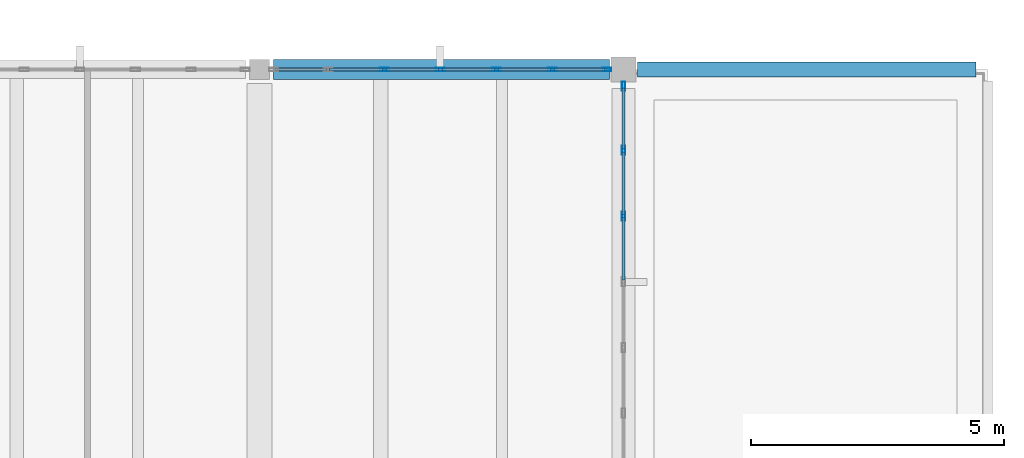
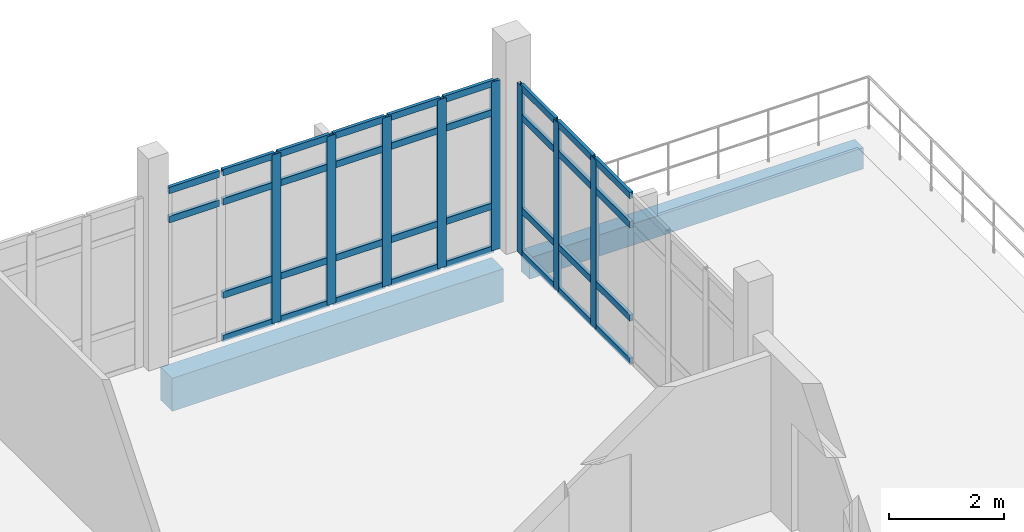
# One storey, part 26 of 41: 42 members, 2 beams, 2 elements without a shape of their own.
"""IFC4 building model written with IfcOpenShell, lengths in metres."""

from ifc_helpers import new_model, si_unit, direction, frame, origin, origin_2d, place, context, subcontext, project, spatial, rectangle, hollow_rectangle, extrude, material, material_profile, profile_set, type_object, element, aggregate, save


model = new_model("IFC4")

# Units and contexts
model_context = context("Model", 3, precision=1e-05, world=origin(), true_north=direction((0.0, 1.0)))
body_context = subcontext(model_context, "Body", "Model", "MODEL_VIEW")
ifc_project = project(units=[si_unit("LENGTHUNIT", "METRE"), si_unit("AREAUNIT", "SQUARE_METRE"), si_unit("VOLUMEUNIT", "CUBIC_METRE"), si_unit("PLANEANGLEUNIT", "RADIAN"), si_unit("MASSUNIT", "GRAM", prefix="KILO")], contexts=[model_context])

# Site, building, storey
site_placement = place(None, origin())
site = spatial("IfcSite", under=ifc_project, at=site_placement, CompositionType="ELEMENT")
building_placement = place(site_placement, origin())
building = spatial("IfcBuilding", under=site, at=building_placement, Name="Kalluvel Institute of Natural Sciences", CompositionType="ELEMENT")
storey_placement = place(building_placement, frame((0.0, 0.0, 32.39990234375)))
storey = spatial("IfcBuildingStorey", under=building, at=storey_placement, Name="L07", CompositionType="ELEMENT", Elevation=32.39990234375)

# Curtain wall, members
ifc_material_1 = material(Name="Aluminium AW-6063 T6", Category="aluminium")
curtain_wall_type = type_object("IfcCurtainWallType", Name="CW-WET-45", PredefinedType="USERDEFINED", material=ifc_material_1)
curtain_wall_1_placement = place(storey_placement, origin())
curtain_wall_1 = element("IfcCurtainWall", 1, at=curtain_wall_1_placement, inside=storey, type_object=curtain_wall_type, Name="L07 Gothic lancet curtain wall CWA-L07-X934-Y1280", ObjectType="UNITISED LANCET FACADE", PredefinedType="USERDEFINED")
ifc_material_profile_1 = material_profile(ifc_material_1, hollow_rectangle(XDim=0.06494140625, YDim=0.179931640625, WallThickness=0.00439453125, at=origin_2d()), Name="CWM 65x180")
ifc_profile_set_1 = profile_set([ifc_material_profile_1], Name="Aluminium AW-6063 T6")
member_type_1 = type_object("IfcMemberType", Name="CWM-65x180", PredefinedType="MULLION", material=ifc_profile_set_1)
member_1_placement = place(storey_placement, frame((95.666748046875, 128.0, 0.0), z_axis=(0.0, 0.0, 1.0), x_axis=(0.0, 1.0, 0.0)))
member_1 = element("IfcMember", 2, at=member_1_placement, type_object=member_type_1, Name="CW-01 mullion 3", PredefinedType="MULLION", context=body_context, shape_type="SweptSolid", body=[
    extrude(hollow_rectangle(XDim=0.06494140625, YDim=0.179931640625, WallThickness=0.00439453125, at=origin_2d()), origin(), (0.0, 0.0, 1.0), 3.580078125),
])
member_2_placement = place(storey_placement, frame((96.77490234375, 128.0, 0.0), z_axis=(0.0, 0.0, 1.0), x_axis=(0.0, 1.0, 0.0)))
member_2 = element("IfcMember", 3, at=member_2_placement, type_object=member_type_1, Name="CW-01 mullion 4", PredefinedType="MULLION", context=body_context, shape_type="SweptSolid", body=[
    extrude(hollow_rectangle(XDim=0.06494140625, YDim=0.179931640625, WallThickness=0.00439453125, at=origin_2d()), origin(), (0.0, 0.0, 1.0), 3.580078125),
])
member_3_placement = place(storey_placement, frame((97.88330078125, 128.0, 0.0), z_axis=(0.0, 0.0, 1.0), x_axis=(0.0, 1.0, 0.0)))
member_3 = element("IfcMember", 4, at=member_3_placement, type_object=member_type_1, Name="CW-01 mullion 5", PredefinedType="MULLION", context=body_context, shape_type="SweptSolid", body=[
    extrude(hollow_rectangle(XDim=0.06494140625, YDim=0.179931640625, WallThickness=0.00439453125, at=origin_2d()), origin(), (0.0, 0.0, 1.0), 3.580078125),
])
member_4_placement = place(storey_placement, frame((98.99169921875, 128.0, 0.0), z_axis=(0.0, 0.0, 1.0), x_axis=(0.0, 1.0, 0.0)))
member_4 = element("IfcMember", 5, at=member_4_placement, type_object=member_type_1, Name="CW-01 mullion 6", PredefinedType="MULLION", context=body_context, shape_type="SweptSolid", body=[
    extrude(hollow_rectangle(XDim=0.06494140625, YDim=0.179931640625, WallThickness=0.00439453125, at=origin_2d()), origin(), (0.0, 0.0, 1.0), 3.580078125),
])
member_5_placement = place(storey_placement, frame((100.0673828125, 128.0, 0.0), z_axis=(0.0, 0.0, 1.0), x_axis=(0.0, 1.0, 0.0)))
member_5 = element("IfcMember", 6, at=member_5_placement, type_object=member_type_1, Name="CW-01 mullion 7", PredefinedType="MULLION", context=body_context, shape_type="SweptSolid", body=[
    extrude(hollow_rectangle(XDim=0.06494140625, YDim=0.179931640625, WallThickness=0.00439453125, at=origin_2d()), origin(), (0.0, 0.0, 1.0), 3.580078125),
])

curtain_wall_2_placement = place(storey_placement, origin())
curtain_wall_2 = element("IfcCurtainWall", 7, at=curtain_wall_2_placement, inside=storey, type_object=curtain_wall_type, Name="L07 Gothic lancet curtain wall CWA-L07-X1004-Y1199", ObjectType="UNITISED LANCET FACADE", PredefinedType="USERDEFINED")
member_6_placement = place(storey_placement, frame((100.39990234375, 125.10009765625, 0.0), z_axis=(0.0, 0.0, 1.0), x_axis=(-1.0, 0.0, 0.0)))
member_6 = element("IfcMember", 8, at=member_6_placement, type_object=member_type_1, Name="CW-01 mullion 5", PredefinedType="MULLION", context=body_context, shape_type="SweptSolid", body=[
    extrude(hollow_rectangle(XDim=0.06494140625, YDim=0.179931640625, WallThickness=0.00439453125, at=origin_2d()), origin(), (0.0, 0.0, 1.0), 3.580078125),
])
member_7_placement = place(storey_placement, frame((100.39990234375, 126.39990234375, 0.0), z_axis=(0.0, 0.0, 1.0), x_axis=(-1.0, 0.0, 0.0)))
member_7 = element("IfcMember", 9, at=member_7_placement, type_object=member_type_1, Name="CW-01 mullion 6", PredefinedType="MULLION", context=body_context, shape_type="SweptSolid", body=[
    extrude(hollow_rectangle(XDim=0.06494140625, YDim=0.179931640625, WallThickness=0.00439453125, at=origin_2d()), origin(), (0.0, 0.0, 1.0), 3.580078125),
])
member_8_placement = place(storey_placement, frame((100.39990234375, 127.66748046875, 0.0), z_axis=(0.0, 0.0, 1.0), x_axis=(-1.0, 0.0, 0.0)))
member_8 = element("IfcMember", 10, at=member_8_placement, type_object=member_type_1, Name="CW-01 mullion 7", PredefinedType="MULLION", context=body_context, shape_type="SweptSolid", body=[
    extrude(hollow_rectangle(XDim=0.06494140625, YDim=0.179931640625, WallThickness=0.00439453125, at=origin_2d()), origin(), (0.0, 0.0, 1.0), 3.580078125),
])

# Member
ifc_material_profile_2 = material_profile(ifc_material_1, hollow_rectangle(XDim=0.06494140625, YDim=0.139892578125, WallThickness=0.00439453125, at=origin_2d()), Name="CWT 65x140")
ifc_profile_set_2 = profile_set([ifc_material_profile_2], Name="Aluminium AW-6063 T6")
member_type_2 = type_object("IfcMemberType", Name="CWT-65x140", PredefinedType="USERDEFINED", material=ifc_profile_set_2)
member_9_placement = place(storey_placement, frame((93.514892578125, 128.0, 2.93017578125), z_axis=(1.0, 0.0, 0.0), x_axis=(0.0, 1.0, 0.0)))
member_9 = element("IfcMember", 11, at=member_9_placement, type_object=member_type_2, Name="CW-01 transom 1.3", ObjectType="TRANSOM", PredefinedType="USERDEFINED", context=body_context, shape_type="SweptSolid", body=[
    extrude(hollow_rectangle(XDim=0.06494140625, YDim=0.139892578125, WallThickness=0.00439453125, at=origin_2d()), origin(), (0.0, 0.0, 1.0), 1.010986328125),
])

member_10_placement = place(storey_placement, frame((93.514892578125, 128.0, 3.547607421875), z_axis=(1.0, 0.0, 0.0), x_axis=(0.0, 1.0, 0.0)))
member_10 = element("IfcMember", 12, at=member_10_placement, type_object=member_type_2, Name="CW-01 transom 1.4", ObjectType="TRANSOM", PredefinedType="USERDEFINED", context=body_context, shape_type="SweptSolid", body=[
    extrude(hollow_rectangle(XDim=0.06494140625, YDim=0.139892578125, WallThickness=0.00439453125, at=origin_2d()), origin(), (0.0, 0.0, 1.0), 1.010986328125),
])

member_11_placement = place(storey_placement, frame((94.5908203125, 128.0, 0.03271484375), z_axis=(1.0, 0.0, 0.0), x_axis=(0.0, 1.0, 0.0)))
member_11 = element("IfcMember", 13, at=member_11_placement, type_object=member_type_2, Name="CW-01 transom 2.1", ObjectType="TRANSOM", PredefinedType="USERDEFINED", context=body_context, shape_type="SweptSolid", body=[
    extrude(hollow_rectangle(XDim=0.06494140625, YDim=0.139892578125, WallThickness=0.00439453125, at=origin_2d()), origin(), (0.0, 0.0, 1.0), 1.04345703125),
])

member_12_placement = place(storey_placement, frame((94.5908203125, 128.0, 0.9501953125), z_axis=(1.0, 0.0, 0.0), x_axis=(0.0, 1.0, 0.0)))
member_12 = element("IfcMember", 14, at=member_12_placement, type_object=member_type_2, Name="CW-01 transom 2.2", ObjectType="TRANSOM", PredefinedType="USERDEFINED", context=body_context, shape_type="SweptSolid", body=[
    extrude(hollow_rectangle(XDim=0.06494140625, YDim=0.139892578125, WallThickness=0.00439453125, at=origin_2d()), origin(), (0.0, 0.0, 1.0), 1.04345703125),
])

member_13_placement = place(storey_placement, frame((94.5908203125, 128.0, 2.93017578125), z_axis=(1.0, 0.0, 0.0), x_axis=(0.0, 1.0, 0.0)))
member_13 = element("IfcMember", 15, at=member_13_placement, type_object=member_type_2, Name="CW-01 transom 2.3", ObjectType="TRANSOM", PredefinedType="USERDEFINED", context=body_context, shape_type="SweptSolid", body=[
    extrude(hollow_rectangle(XDim=0.06494140625, YDim=0.139892578125, WallThickness=0.00439453125, at=origin_2d()), origin(), (0.0, 0.0, 1.0), 1.04345703125),
])

member_14_placement = place(storey_placement, frame((94.5908203125, 128.0, 3.547607421875), z_axis=(1.0, 0.0, 0.0), x_axis=(0.0, 1.0, 0.0)))
member_14 = element("IfcMember", 16, at=member_14_placement, type_object=member_type_2, Name="CW-01 transom 2.4", ObjectType="TRANSOM", PredefinedType="USERDEFINED", context=body_context, shape_type="SweptSolid", body=[
    extrude(hollow_rectangle(XDim=0.06494140625, YDim=0.139892578125, WallThickness=0.00439453125, at=origin_2d()), origin(), (0.0, 0.0, 1.0), 1.04345703125),
])

member_15_placement = place(storey_placement, frame((95.69921875, 128.0, 0.03271484375), z_axis=(1.0, 0.0, 0.0), x_axis=(0.0, 1.0, 0.0)))
member_15 = element("IfcMember", 17, at=member_15_placement, type_object=member_type_2, Name="CW-01 transom 3.1", ObjectType="TRANSOM", PredefinedType="USERDEFINED", context=body_context, shape_type="SweptSolid", body=[
    extrude(hollow_rectangle(XDim=0.06494140625, YDim=0.139892578125, WallThickness=0.00439453125, at=origin_2d()), origin(), (0.0, 0.0, 1.0), 1.043212890625),
])

member_16_placement = place(storey_placement, frame((95.69921875, 128.0, 0.9501953125), z_axis=(1.0, 0.0, 0.0), x_axis=(0.0, 1.0, 0.0)))
member_16 = element("IfcMember", 18, at=member_16_placement, type_object=member_type_2, Name="CW-01 transom 3.2", ObjectType="TRANSOM", PredefinedType="USERDEFINED", context=body_context, shape_type="SweptSolid", body=[
    extrude(hollow_rectangle(XDim=0.06494140625, YDim=0.139892578125, WallThickness=0.00439453125, at=origin_2d()), origin(), (0.0, 0.0, 1.0), 1.043212890625),
])

member_17_placement = place(storey_placement, frame((95.69921875, 128.0, 2.93017578125), z_axis=(1.0, 0.0, 0.0), x_axis=(0.0, 1.0, 0.0)))
member_17 = element("IfcMember", 19, at=member_17_placement, type_object=member_type_2, Name="CW-01 transom 3.3", ObjectType="TRANSOM", PredefinedType="USERDEFINED", context=body_context, shape_type="SweptSolid", body=[
    extrude(hollow_rectangle(XDim=0.06494140625, YDim=0.139892578125, WallThickness=0.00439453125, at=origin_2d()), origin(), (0.0, 0.0, 1.0), 1.043212890625),
])

member_18_placement = place(storey_placement, frame((95.69921875, 128.0, 3.547607421875), z_axis=(1.0, 0.0, 0.0), x_axis=(0.0, 1.0, 0.0)))
member_18 = element("IfcMember", 20, at=member_18_placement, type_object=member_type_2, Name="CW-01 transom 3.4", ObjectType="TRANSOM", PredefinedType="USERDEFINED", context=body_context, shape_type="SweptSolid", body=[
    extrude(hollow_rectangle(XDim=0.06494140625, YDim=0.139892578125, WallThickness=0.00439453125, at=origin_2d()), origin(), (0.0, 0.0, 1.0), 1.043212890625),
])

member_19_placement = place(storey_placement, frame((96.8076171875, 128.0, 0.03271484375), z_axis=(1.0, 0.0, 0.0), x_axis=(0.0, 1.0, 0.0)))
member_19 = element("IfcMember", 21, at=member_19_placement, type_object=member_type_2, Name="CW-01 transom 4.1", ObjectType="TRANSOM", PredefinedType="USERDEFINED", context=body_context, shape_type="SweptSolid", body=[
    extrude(hollow_rectangle(XDim=0.06494140625, YDim=0.139892578125, WallThickness=0.00439453125, at=origin_2d()), origin(), (0.0, 0.0, 1.0), 1.043212890625),
])

member_20_placement = place(storey_placement, frame((96.8076171875, 128.0, 0.9501953125), z_axis=(1.0, 0.0, 0.0), x_axis=(0.0, 1.0, 0.0)))
member_20 = element("IfcMember", 22, at=member_20_placement, type_object=member_type_2, Name="CW-01 transom 4.2", ObjectType="TRANSOM", PredefinedType="USERDEFINED", context=body_context, shape_type="SweptSolid", body=[
    extrude(hollow_rectangle(XDim=0.06494140625, YDim=0.139892578125, WallThickness=0.00439453125, at=origin_2d()), origin(), (0.0, 0.0, 1.0), 1.043212890625),
])

member_21_placement = place(storey_placement, frame((96.8076171875, 128.0, 2.93017578125), z_axis=(1.0, 0.0, 0.0), x_axis=(0.0, 1.0, 0.0)))
member_21 = element("IfcMember", 23, at=member_21_placement, type_object=member_type_2, Name="CW-01 transom 4.3", ObjectType="TRANSOM", PredefinedType="USERDEFINED", context=body_context, shape_type="SweptSolid", body=[
    extrude(hollow_rectangle(XDim=0.06494140625, YDim=0.139892578125, WallThickness=0.00439453125, at=origin_2d()), origin(), (0.0, 0.0, 1.0), 1.043212890625),
])

member_22_placement = place(storey_placement, frame((96.8076171875, 128.0, 3.547607421875), z_axis=(1.0, 0.0, 0.0), x_axis=(0.0, 1.0, 0.0)))
member_22 = element("IfcMember", 24, at=member_22_placement, type_object=member_type_2, Name="CW-01 transom 4.4", ObjectType="TRANSOM", PredefinedType="USERDEFINED", context=body_context, shape_type="SweptSolid", body=[
    extrude(hollow_rectangle(XDim=0.06494140625, YDim=0.139892578125, WallThickness=0.00439453125, at=origin_2d()), origin(), (0.0, 0.0, 1.0), 1.043212890625),
])

member_23_placement = place(storey_placement, frame((97.915771484375, 128.0, 0.03271484375), z_axis=(1.0, 0.0, 0.0), x_axis=(0.0, 1.0, 0.0)))
member_23 = element("IfcMember", 25, at=member_23_placement, type_object=member_type_2, Name="CW-01 transom 5.1", ObjectType="TRANSOM", PredefinedType="USERDEFINED", context=body_context, shape_type="SweptSolid", body=[
    extrude(hollow_rectangle(XDim=0.06494140625, YDim=0.139892578125, WallThickness=0.00439453125, at=origin_2d()), origin(), (0.0, 0.0, 1.0), 1.04345703125),
])

member_24_placement = place(storey_placement, frame((97.915771484375, 128.0, 0.9501953125), z_axis=(1.0, 0.0, 0.0), x_axis=(0.0, 1.0, 0.0)))
member_24 = element("IfcMember", 26, at=member_24_placement, type_object=member_type_2, Name="CW-01 transom 5.2", ObjectType="TRANSOM", PredefinedType="USERDEFINED", context=body_context, shape_type="SweptSolid", body=[
    extrude(hollow_rectangle(XDim=0.06494140625, YDim=0.139892578125, WallThickness=0.00439453125, at=origin_2d()), origin(), (0.0, 0.0, 1.0), 1.04345703125),
])

member_25_placement = place(storey_placement, frame((97.915771484375, 128.0, 2.93017578125), z_axis=(1.0, 0.0, 0.0), x_axis=(0.0, 1.0, 0.0)))
member_25 = element("IfcMember", 27, at=member_25_placement, type_object=member_type_2, Name="CW-01 transom 5.3", ObjectType="TRANSOM", PredefinedType="USERDEFINED", context=body_context, shape_type="SweptSolid", body=[
    extrude(hollow_rectangle(XDim=0.06494140625, YDim=0.139892578125, WallThickness=0.00439453125, at=origin_2d()), origin(), (0.0, 0.0, 1.0), 1.04345703125),
])

member_26_placement = place(storey_placement, frame((97.915771484375, 128.0, 3.547607421875), z_axis=(1.0, 0.0, 0.0), x_axis=(0.0, 1.0, 0.0)))
member_26 = element("IfcMember", 28, at=member_26_placement, type_object=member_type_2, Name="CW-01 transom 5.4", ObjectType="TRANSOM", PredefinedType="USERDEFINED", context=body_context, shape_type="SweptSolid", body=[
    extrude(hollow_rectangle(XDim=0.06494140625, YDim=0.139892578125, WallThickness=0.00439453125, at=origin_2d()), origin(), (0.0, 0.0, 1.0), 1.04345703125),
])

member_27_placement = place(storey_placement, frame((99.024169921875, 128.0, 0.03271484375), z_axis=(1.0, 0.0, 0.0), x_axis=(0.0, 1.0, 0.0)))
member_27 = element("IfcMember", 29, at=member_27_placement, type_object=member_type_2, Name="CW-01 transom 6.1", ObjectType="TRANSOM", PredefinedType="USERDEFINED", context=body_context, shape_type="SweptSolid", body=[
    extrude(hollow_rectangle(XDim=0.06494140625, YDim=0.139892578125, WallThickness=0.00439453125, at=origin_2d()), origin(), (0.0, 0.0, 1.0), 1.0107421875),
])

member_28_placement = place(storey_placement, frame((99.024169921875, 128.0, 0.9501953125), z_axis=(1.0, 0.0, 0.0), x_axis=(0.0, 1.0, 0.0)))
member_28 = element("IfcMember", 30, at=member_28_placement, type_object=member_type_2, Name="CW-01 transom 6.2", ObjectType="TRANSOM", PredefinedType="USERDEFINED", context=body_context, shape_type="SweptSolid", body=[
    extrude(hollow_rectangle(XDim=0.06494140625, YDim=0.139892578125, WallThickness=0.00439453125, at=origin_2d()), origin(), (0.0, 0.0, 1.0), 1.0107421875),
])

member_29_placement = place(storey_placement, frame((99.024169921875, 128.0, 2.93017578125), z_axis=(1.0, 0.0, 0.0), x_axis=(0.0, 1.0, 0.0)))
member_29 = element("IfcMember", 31, at=member_29_placement, type_object=member_type_2, Name="CW-01 transom 6.3", ObjectType="TRANSOM", PredefinedType="USERDEFINED", context=body_context, shape_type="SweptSolid", body=[
    extrude(hollow_rectangle(XDim=0.06494140625, YDim=0.139892578125, WallThickness=0.00439453125, at=origin_2d()), origin(), (0.0, 0.0, 1.0), 1.0107421875),
])

member_30_placement = place(storey_placement, frame((99.024169921875, 128.0, 3.547607421875), z_axis=(1.0, 0.0, 0.0), x_axis=(0.0, 1.0, 0.0)))
member_30 = element("IfcMember", 32, at=member_30_placement, type_object=member_type_2, Name="CW-01 transom 6.4", ObjectType="TRANSOM", PredefinedType="USERDEFINED", context=body_context, shape_type="SweptSolid", body=[
    extrude(hollow_rectangle(XDim=0.06494140625, YDim=0.139892578125, WallThickness=0.00439453125, at=origin_2d()), origin(), (0.0, 0.0, 1.0), 1.0107421875),
])

aggregate(curtain_wall_1, [member_1, member_2, member_3, member_4, member_5, member_9, member_10, member_11, member_12, member_13, member_14, member_15, member_16, member_17, member_18, member_19, member_20, member_21, member_22, member_23, member_24, member_25, member_26, member_27, member_28, member_29, member_30])

member_31_placement = place(storey_placement, frame((100.39990234375, 123.83251953125, 0.03271484375), z_axis=(0.0, 1.0, 0.0), x_axis=(-1.0, 0.0, 0.0)))
member_31 = element("IfcMember", 33, at=member_31_placement, type_object=member_type_2, Name="CW-01 transom 4.1", ObjectType="TRANSOM", PredefinedType="USERDEFINED", context=body_context, shape_type="SweptSolid", body=[
    extrude(hollow_rectangle(XDim=0.06494140625, YDim=0.139892578125, WallThickness=0.00439453125, at=origin_2d()), origin(), (0.0, 0.0, 1.0), 1.23486328125),
])

member_32_placement = place(storey_placement, frame((100.39990234375, 123.83251953125, 0.9501953125), z_axis=(0.0, 1.0, 0.0), x_axis=(-1.0, 0.0, 0.0)))
member_32 = element("IfcMember", 34, at=member_32_placement, type_object=member_type_2, Name="CW-01 transom 4.2", ObjectType="TRANSOM", PredefinedType="USERDEFINED", context=body_context, shape_type="SweptSolid", body=[
    extrude(hollow_rectangle(XDim=0.06494140625, YDim=0.139892578125, WallThickness=0.00439453125, at=origin_2d()), origin(), (0.0, 0.0, 1.0), 1.23486328125),
])

member_33_placement = place(storey_placement, frame((100.39990234375, 123.83251953125, 2.93017578125), z_axis=(0.0, 1.0, 0.0), x_axis=(-1.0, 0.0, 0.0)))
member_33 = element("IfcMember", 35, at=member_33_placement, type_object=member_type_2, Name="CW-01 transom 4.3", ObjectType="TRANSOM", PredefinedType="USERDEFINED", context=body_context, shape_type="SweptSolid", body=[
    extrude(hollow_rectangle(XDim=0.06494140625, YDim=0.139892578125, WallThickness=0.00439453125, at=origin_2d()), origin(), (0.0, 0.0, 1.0), 1.23486328125),
])

member_34_placement = place(storey_placement, frame((100.39990234375, 123.83251953125, 3.547607421875), z_axis=(0.0, 1.0, 0.0), x_axis=(-1.0, 0.0, 0.0)))
member_34 = element("IfcMember", 36, at=member_34_placement, type_object=member_type_2, Name="CW-01 transom 4.4", ObjectType="TRANSOM", PredefinedType="USERDEFINED", context=body_context, shape_type="SweptSolid", body=[
    extrude(hollow_rectangle(XDim=0.06494140625, YDim=0.139892578125, WallThickness=0.00439453125, at=origin_2d()), origin(), (0.0, 0.0, 1.0), 1.23486328125),
])

member_35_placement = place(storey_placement, frame((100.39990234375, 125.132568359375, 0.03271484375), z_axis=(0.0, 1.0, 0.0), x_axis=(-1.0, 0.0, 0.0)))
member_35 = element("IfcMember", 37, at=member_35_placement, type_object=member_type_2, Name="CW-01 transom 5.1", ObjectType="TRANSOM", PredefinedType="USERDEFINED", context=body_context, shape_type="SweptSolid", body=[
    extrude(hollow_rectangle(XDim=0.06494140625, YDim=0.139892578125, WallThickness=0.00439453125, at=origin_2d()), origin(), (0.0, 0.0, 1.0), 1.23486328125),
])

member_36_placement = place(storey_placement, frame((100.39990234375, 125.132568359375, 0.9501953125), z_axis=(0.0, 1.0, 0.0), x_axis=(-1.0, 0.0, 0.0)))
member_36 = element("IfcMember", 38, at=member_36_placement, type_object=member_type_2, Name="CW-01 transom 5.2", ObjectType="TRANSOM", PredefinedType="USERDEFINED", context=body_context, shape_type="SweptSolid", body=[
    extrude(hollow_rectangle(XDim=0.06494140625, YDim=0.139892578125, WallThickness=0.00439453125, at=origin_2d()), origin(), (0.0, 0.0, 1.0), 1.23486328125),
])

member_37_placement = place(storey_placement, frame((100.39990234375, 125.132568359375, 2.93017578125), z_axis=(0.0, 1.0, 0.0), x_axis=(-1.0, 0.0, 0.0)))
member_37 = element("IfcMember", 39, at=member_37_placement, type_object=member_type_2, Name="CW-01 transom 5.3", ObjectType="TRANSOM", PredefinedType="USERDEFINED", context=body_context, shape_type="SweptSolid", body=[
    extrude(hollow_rectangle(XDim=0.06494140625, YDim=0.139892578125, WallThickness=0.00439453125, at=origin_2d()), origin(), (0.0, 0.0, 1.0), 1.23486328125),
])

member_38_placement = place(storey_placement, frame((100.39990234375, 125.132568359375, 3.547607421875), z_axis=(0.0, 1.0, 0.0), x_axis=(-1.0, 0.0, 0.0)))
member_38 = element("IfcMember", 40, at=member_38_placement, type_object=member_type_2, Name="CW-01 transom 5.4", ObjectType="TRANSOM", PredefinedType="USERDEFINED", context=body_context, shape_type="SweptSolid", body=[
    extrude(hollow_rectangle(XDim=0.06494140625, YDim=0.139892578125, WallThickness=0.00439453125, at=origin_2d()), origin(), (0.0, 0.0, 1.0), 1.23486328125),
])

member_39_placement = place(storey_placement, frame((100.39990234375, 126.4326171875, 0.03271484375), z_axis=(0.0, 1.0, 0.0), x_axis=(-1.0, 0.0, 0.0)))
member_39 = element("IfcMember", 41, at=member_39_placement, type_object=member_type_2, Name="CW-01 transom 6.1", ObjectType="TRANSOM", PredefinedType="USERDEFINED", context=body_context, shape_type="SweptSolid", body=[
    extrude(hollow_rectangle(XDim=0.06494140625, YDim=0.139892578125, WallThickness=0.00439453125, at=origin_2d()), origin(), (0.0, 0.0, 1.0), 1.202392578125),
])

member_40_placement = place(storey_placement, frame((100.39990234375, 126.4326171875, 0.9501953125), z_axis=(0.0, 1.0, 0.0), x_axis=(-1.0, 0.0, 0.0)))
member_40 = element("IfcMember", 42, at=member_40_placement, type_object=member_type_2, Name="CW-01 transom 6.2", ObjectType="TRANSOM", PredefinedType="USERDEFINED", context=body_context, shape_type="SweptSolid", body=[
    extrude(hollow_rectangle(XDim=0.06494140625, YDim=0.139892578125, WallThickness=0.00439453125, at=origin_2d()), origin(), (0.0, 0.0, 1.0), 1.202392578125),
])

member_41_placement = place(storey_placement, frame((100.39990234375, 126.4326171875, 2.93017578125), z_axis=(0.0, 1.0, 0.0), x_axis=(-1.0, 0.0, 0.0)))
member_41 = element("IfcMember", 43, at=member_41_placement, type_object=member_type_2, Name="CW-01 transom 6.3", ObjectType="TRANSOM", PredefinedType="USERDEFINED", context=body_context, shape_type="SweptSolid", body=[
    extrude(hollow_rectangle(XDim=0.06494140625, YDim=0.139892578125, WallThickness=0.00439453125, at=origin_2d()), origin(), (0.0, 0.0, 1.0), 1.202392578125),
])

member_42_placement = place(storey_placement, frame((100.39990234375, 126.4326171875, 3.547607421875), z_axis=(0.0, 1.0, 0.0), x_axis=(-1.0, 0.0, 0.0)))
member_42 = element("IfcMember", 44, at=member_42_placement, type_object=member_type_2, Name="CW-01 transom 6.4", ObjectType="TRANSOM", PredefinedType="USERDEFINED", context=body_context, shape_type="SweptSolid", body=[
    extrude(hollow_rectangle(XDim=0.06494140625, YDim=0.139892578125, WallThickness=0.00439453125, at=origin_2d()), origin(), (0.0, 0.0, 1.0), 1.202392578125),
])

aggregate(curtain_wall_2, [member_6, member_7, member_8, member_31, member_32, member_33, member_34, member_35, member_36, member_37, member_38, member_39, member_40, member_41, member_42])

# Beams
ifc_material_2 = material(Name="Concrete M40", Category="concrete")
ifc_material_profile_3 = material_profile(ifc_material_2, rectangle(XDim=0.300048828125, YDim=0.449951171875, at=origin_2d()), Name="RCB 300x450")
ifc_profile_set_3 = profile_set([ifc_material_profile_3], Name="Concrete M40")
beam_type_1 = type_object("IfcBeamType", Name="SP-RC300x450", PredefinedType="SPANDREL", material=ifc_profile_set_3)
beam_1_placement = place(storey_placement, frame((100.675048828125, 128.0, -0.544921875), z_axis=(1.0, 0.0, 0.0), x_axis=(0.0, 1.0, 0.0)))
element("IfcBeam", 45, at=beam_1_placement, inside=storey, type_object=beam_type_1, Name="L07 girder GIR-L07-EW-X1004-Y1280", PredefinedType="SPANDREL", context=body_context, shape_type="SweptSolid", body=[
    extrude(rectangle(XDim=0.300048828125, YDim=0.449951171875, at=origin_2d()), origin(), (0.0, 0.0, 1.0), 6.699951171875),
])
ifc_material_profile_4 = material_profile(ifc_material_2, rectangle(XDim=0.39990234375, YDim=0.699951171875, at=origin_2d()), Name="RCB 400x700")
ifc_profile_set_4 = profile_set([ifc_material_profile_4], Name="Concrete M40")
beam_type_2 = type_object("IfcBeamType", Name="SP-RC400x700", PredefinedType="SPANDREL", material=ifc_profile_set_4)
beam_2_placement = place(storey_placement, frame((93.47509765625, 128.0, -0.669921875), z_axis=(1.0, 0.0, 0.0), x_axis=(0.0, 1.0, 0.0)))
element("IfcBeam", 46, at=beam_2_placement, inside=storey, type_object=beam_type_2, Name="L07 girder GIR-L07-EW-X932-Y1280", PredefinedType="SPANDREL", context=body_context, shape_type="SweptSolid", body=[
    extrude(rectangle(XDim=0.39990234375, YDim=0.699951171875, at=origin_2d()), origin(), (0.0, 0.0, 1.0), 6.64990234375),
])

save(model, "model.ifc")
